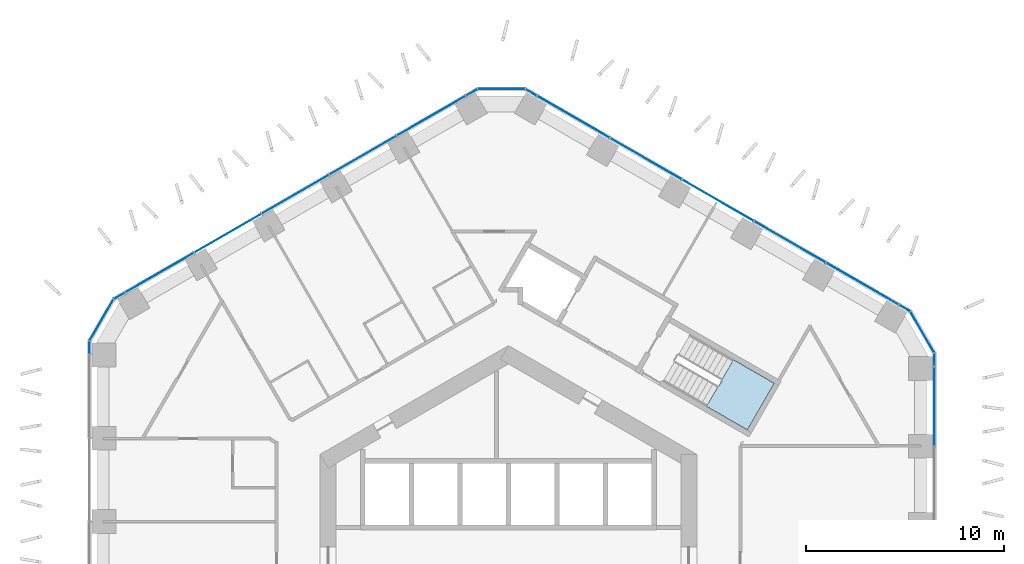
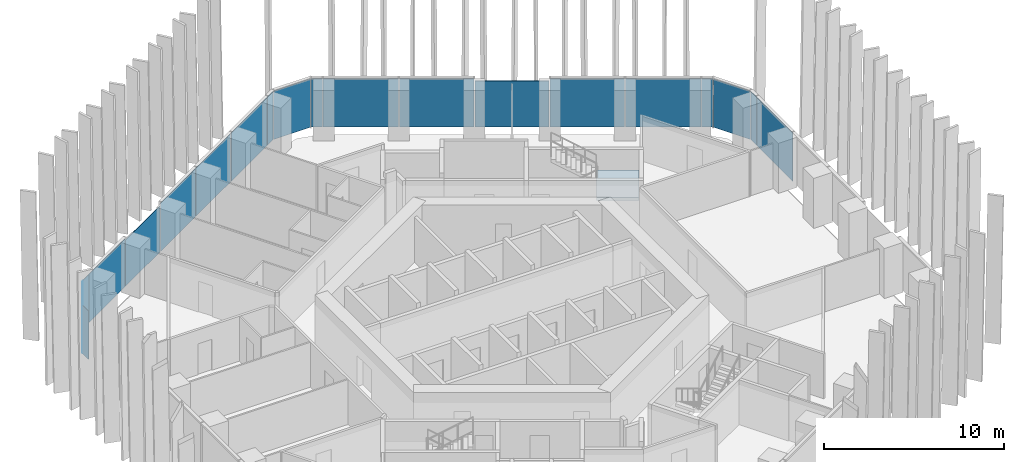
# One storey, part 12 of 19: 20 plates, 1 slab, 7 elements without a shape of their own.
"""IFC4 building model written with IfcOpenShell, lengths in metres."""

from ifc_helpers import new_model, si_unit, direction, frame, origin, origin_2d, place, context, subcontext, project, spatial, polyline, rectangle, outline, extrude, material, layer, layer_set, type_object, element, aggregate, save


model = new_model("IFC4")

# Units and contexts
model_context = context("Model", 3, precision=1e-05, world=origin(), true_north=direction((0.0, 1.0)))
body_context = subcontext(model_context, "Body", "Model", "MODEL_VIEW")
ifc_project = project(units=[si_unit("LENGTHUNIT", "METRE"), si_unit("AREAUNIT", "SQUARE_METRE"), si_unit("VOLUMEUNIT", "CUBIC_METRE"), si_unit("PLANEANGLEUNIT", "RADIAN"), si_unit("MASSUNIT", "GRAM", prefix="KILO")], contexts=[model_context])

# Site, building, storey
site_placement = place(None, origin())
site = spatial("IfcSite", under=ifc_project, at=site_placement, CompositionType="ELEMENT")
building_placement = place(site_placement, origin())
building = spatial("IfcBuilding", under=site, at=building_placement, Name="Ayvan Gate Tower", CompositionType="ELEMENT")
storey_placement = place(building_placement, frame((0.0, 0.0, 45.89990234375)))
storey = spatial("IfcBuildingStorey", under=building, at=storey_placement, Name="L11", CompositionType="ELEMENT", Elevation=45.89990234375)

# Stair, slab
ifc_material_1 = material(Name="Concrete C40/50", Category="concrete")
stair_type = type_object("IfcStairType", Name="ST-EXIT", PredefinedType="HALF_TURN_STAIR", material=ifc_material_1)
stair_placement = place(storey_placement, origin())
stair = element("IfcStair", 1, at=stair_placement, inside=storey, type_object=stair_type, Name="L11 Exit Stair S1", PredefinedType="HALF_TURN_STAIR")
ifc_layer_1 = layer(ifc_material_1, 0.199951171875)
ifc_layer_set_1 = layer_set([ifc_layer_1], Name="Concrete C40/50")
slab_type = type_object("IfcSlabType", Name="SL-LANDING-200", PredefinedType="LANDING", material=ifc_layer_set_1)
slab_placement = place(storey_placement, frame((0.0, 0.0, 1.5)))
slab = element("IfcSlab", 2, at=slab_placement, type_object=slab_type, Name="STS1 landing 1", PredefinedType="LANDING", context=body_context, shape_type="SweptSolid", body=[
    extrude(outline(polyline([(9.988525390625, 7.91064453125), (12.049560546875, 6.720458984375), (13.404541015625, 9.0673828125), (11.343505859375, 10.257568359375), (9.988525390625, 7.91064453125)])), origin(), (0.0, 0.0, 1.0), 0.2001953125),
])
aggregate(stair, [slab])

# Curtain wall, plates
ifc_material_2 = material(Name="Bronze anodised aluminium", Category="aluminium")
ifc_layer_2 = layer(ifc_material_2, 0.199951171875)
ifc_layer_set_2 = layer_set([ifc_layer_2], Name="Bronze anodised aluminium")
curtain_wall_type_1 = type_object("IfcCurtainWallType", Name="Stick curtain wall CW-1", PredefinedType="NOTDEFINED", material=ifc_layer_set_2)
curtain_wall_1_placement = place(storey_placement, origin())
curtain_wall_1 = element("IfcCurtainWall", 3, at=curtain_wall_1_placement, inside=storey, type_object=curtain_wall_type_1, Name="Stick curtain wall CW-1 L11", PredefinedType="NOTDEFINED")
ifc_material_3 = material(Name="Clear low-iron laminated glass", Category="glass")
ifc_layer_3 = layer(ifc_material_3, 0.028076171875)
ifc_layer_set_3 = layer_set([ifc_layer_3], Name="Clear low-iron laminated glass")
plate_type_1 = type_object("IfcPlateType", Name="Stick curtain wall CW-1 glass panel", PredefinedType="CURTAIN_PANEL", material=ifc_layer_set_3)
plate_1_placement = place(storey_placement, frame((-3.882080078125, 22.56689453125, 0.0), z_axis=(0.0, 0.0, 1.0), x_axis=(-0.866025403784, -0.5, 0.0)))
plate_1 = element("IfcPlate", 4, at=plate_1_placement, type_object=plate_type_1, Name="CW-1 glass panel 1", PredefinedType="CURTAIN_PANEL", context=body_context, shape_type="SweptSolid", body=[
    extrude(rectangle(XDim=3.9951171875, YDim=0.028076171875, at=origin_2d()), origin(), (0.0, 0.0, 1.0), 3.280029296875),
])
plate_2_placement = place(storey_placement, frame((-7.33935546875, 20.571044921875, 0.0), z_axis=(0.0, 0.0, 1.0), x_axis=(-0.866025403784, -0.5, 0.0)))
plate_2 = element("IfcPlate", 5, at=plate_2_placement, type_object=plate_type_1, Name="CW-1 glass panel 2", PredefinedType="CURTAIN_PANEL", context=body_context, shape_type="SweptSolid", body=[
    extrude(rectangle(XDim=3.868896484375, YDim=0.028076171875, at=origin_2d()), origin(), (0.0, 0.0, 1.0), 3.280029296875),
])
plate_3_placement = place(storey_placement, frame((-10.741943359375, 18.6064453125, 0.0), z_axis=(0.0, 0.0, 1.0), x_axis=(-0.866025403784, -0.5, 0.0)))
plate_3 = element("IfcPlate", 6, at=plate_3_placement, type_object=plate_type_1, Name="CW-1 glass panel 3", PredefinedType="CURTAIN_PANEL", context=body_context, shape_type="SweptSolid", body=[
    extrude(rectangle(XDim=3.868896484375, YDim=0.028076171875, at=origin_2d()), origin(), (0.0, 0.0, 1.0), 3.280029296875),
])
plate_4_placement = place(storey_placement, frame((-14.14453125, 16.641845703125, 0.000244140625), z_axis=(0.0, 0.0, 1.0), x_axis=(-0.866025403784, -0.5, 0.0)))
plate_4 = element("IfcPlate", 7, at=plate_4_placement, type_object=plate_type_1, Name="CW-1 glass panel 4", PredefinedType="CURTAIN_PANEL", context=body_context, shape_type="SweptSolid", body=[
    extrude(rectangle(XDim=3.868896484375, YDim=0.028076171875, at=origin_2d()), origin(), (0.0, 0.0, 1.0), 3.14990234375),
])
plate_5_placement = place(storey_placement, frame((-17.60205078125, 14.645751953125, 0.0), z_axis=(0.0, 0.0, 1.0), x_axis=(-0.866025403784, -0.5, 0.0)))
plate_5 = element("IfcPlate", 8, at=plate_5_placement, type_object=plate_type_1, Name="CW-1 glass panel 5", PredefinedType="CURTAIN_PANEL", context=body_context, shape_type="SweptSolid", body=[
    extrude(rectangle(XDim=3.995849609375, YDim=0.028076171875, at=origin_2d()), origin(), (0.0, 0.0, 1.0), 3.280029296875),
])
aggregate(curtain_wall_1, [plate_1, plate_2, plate_3, plate_4, plate_5])

# Curtain wall, plate
curtain_wall_2_placement = place(storey_placement, origin())
curtain_wall_2 = element("IfcCurtainWall", 9, at=curtain_wall_2_placement, inside=storey, type_object=curtain_wall_type_1, Name="Stick curtain wall CW-1 L11", PredefinedType="NOTDEFINED")
plate_6_placement = place(storey_placement, frame((21.484619140625, 7.9208984375, 0.0), z_axis=(0.0, 0.0, 1.0), x_axis=(0.0, 1.0, 0.0)))
plate_6 = element("IfcPlate", 10, at=plate_6_placement, type_object=plate_type_1, Name="CW-1 glass panel 5", PredefinedType="CURTAIN_PANEL", context=body_context, shape_type="SweptSolid", body=[
    extrude(rectangle(XDim=3.995849609375, YDim=0.028076171875, at=origin_2d()), origin(), (0.0, 0.0, 1.0), 3.280029296875),
])
aggregate(curtain_wall_2, [plate_6])

# Curtain wall, plates
curtain_wall_3_placement = place(storey_placement, origin())
curtain_wall_3 = element("IfcCurtainWall", 11, at=curtain_wall_3_placement, inside=storey, type_object=curtain_wall_type_1, Name="Stick curtain wall CW-1 L11", PredefinedType="NOTDEFINED")
plate_7_placement = place(storey_placement, frame((17.864990234375, 14.082763671875, 0.0), z_axis=(0.0, 0.0, 1.0), x_axis=(-0.866025403784, 0.5, 0.0)))
plate_7 = element("IfcPlate", 12, at=plate_7_placement, type_object=plate_type_1, Name="CW-1 glass panel 1", PredefinedType="CURTAIN_PANEL", context=body_context, shape_type="SweptSolid", body=[
    extrude(rectangle(XDim=4.2109375, YDim=0.028076171875, at=origin_2d()), origin(), (0.0, 0.0, 1.0), 3.280029296875),
])
plate_8_placement = place(storey_placement, frame((14.1982421875, 16.19970703125, 0.0), z_axis=(0.0, 0.0, 1.0), x_axis=(-0.866025403784, 0.5, 0.0)))
plate_8 = element("IfcPlate", 13, at=plate_8_placement, type_object=plate_type_1, Name="CW-1 glass panel 2", PredefinedType="CURTAIN_PANEL", context=body_context, shape_type="SweptSolid", body=[
    extrude(rectangle(XDim=4.136962890625, YDim=0.028076171875, at=origin_2d()), origin(), (0.0, 0.0, 1.0), 3.280029296875),
])
plate_9_placement = place(storey_placement, frame((10.56396484375, 18.298095703125, 0.000244140625), z_axis=(0.0, 0.0, 1.0), x_axis=(-0.866025403784, 0.5, 0.0)))
plate_9 = element("IfcPlate", 14, at=plate_9_placement, type_object=plate_type_1, Name="CW-1 glass panel 3", PredefinedType="CURTAIN_PANEL", context=body_context, shape_type="SweptSolid", body=[
    extrude(rectangle(XDim=4.135986328125, YDim=0.028076171875, at=origin_2d()), origin(), (0.0, 0.0, 1.0), 3.14990234375),
])
plate_10_placement = place(storey_placement, frame((6.93017578125, 20.39599609375, 0.0), z_axis=(0.0, 0.0, 1.0), x_axis=(-0.866025403784, 0.5, 0.0)))
plate_10 = element("IfcPlate", 15, at=plate_10_placement, type_object=plate_type_1, Name="CW-1 glass panel 4", PredefinedType="CURTAIN_PANEL", context=body_context, shape_type="SweptSolid", body=[
    extrude(rectangle(XDim=4.135986328125, YDim=0.028076171875, at=origin_2d()), origin(), (0.0, 0.0, 1.0), 3.280029296875),
])
plate_11_placement = place(storey_placement, frame((3.263671875, 22.512939453125, 0.0), z_axis=(0.0, 0.0, 1.0), x_axis=(-0.866025403784, 0.5, 0.0)))
plate_11 = element("IfcPlate", 16, at=plate_11_placement, type_object=plate_type_1, Name="CW-1 glass panel 5", PredefinedType="CURTAIN_PANEL", context=body_context, shape_type="SweptSolid", body=[
    extrude(rectangle(XDim=4.21142578125, YDim=0.028076171875, at=origin_2d()), origin(), (0.0, 0.0, 1.0), 3.280029296875),
])
aggregate(curtain_wall_3, [plate_7, plate_8, plate_9, plate_10, plate_11])

ifc_layer_4 = layer(ifc_material_2, 0.199951171875)
ifc_layer_set_4 = layer_set([ifc_layer_4], Name="Bronze anodised aluminium")
curtain_wall_type_2 = type_object("IfcCurtainWallType", Name="Stick curtain wall CW-6", PredefinedType="NOTDEFINED", material=ifc_layer_set_4)
curtain_wall_4_placement = place(storey_placement, origin())
curtain_wall_4 = element("IfcCurtainWall", 17, at=curtain_wall_4_placement, inside=storey, type_object=curtain_wall_type_2, Name="Stick curtain wall CW-6 L11", PredefinedType="NOTDEFINED")
ifc_layer_5 = layer(ifc_material_3, 0.028076171875)
ifc_layer_set_5 = layer_set([ifc_layer_5], Name="Clear low-iron laminated glass")
plate_type_2 = type_object("IfcPlateType", Name="Stick curtain wall CW-6 glass panel", PredefinedType="CURTAIN_PANEL", material=ifc_layer_set_5)
plate_12_placement = place(storey_placement, frame((-19.62890625, 13.4755859375, 0.0), z_axis=(0.0, 0.0, 1.0), x_axis=(-0.866025403784, -0.5, 0.0)))
plate_12 = element("IfcPlate", 18, at=plate_12_placement, type_object=plate_type_2, Name="CW-6 glass panel 1", PredefinedType="CURTAIN_PANEL", context=body_context, shape_type="SweptSolid", body=[
    extrude(rectangle(XDim=0.625, YDim=0.028076171875, at=origin_2d()), origin(), (0.0, 0.0, 1.0), 3.280029296875),
])
plate_13_placement = place(storey_placement, frame((-20.52490234375, 12.26123046875, 0.0), z_axis=(0.0, 0.0, 1.0), x_axis=(-0.5, -0.866025403784, 0.0)))
plate_13 = element("IfcPlate", 19, at=plate_13_placement, type_object=plate_type_2, Name="CW-6 glass panel 2", PredefinedType="CURTAIN_PANEL", context=body_context, shape_type="SweptSolid", body=[
    extrude(rectangle(XDim=2.364501953125, YDim=0.028076171875, at=origin_2d()), origin(), (0.0, 0.0, 1.0), 3.280029296875),
])
plate_14_placement = place(storey_placement, frame((-21.12841796875, 10.878173828125, 0.0), z_axis=(0.0, 0.0, 1.0), x_axis=(0.0, -1.0, 0.0)))
plate_14 = element("IfcPlate", 20, at=plate_14_placement, type_object=plate_type_2, Name="CW-6 glass panel 3", PredefinedType="CURTAIN_PANEL", context=body_context, shape_type="SweptSolid", body=[
    extrude(rectangle(XDim=0.625, YDim=0.028076171875, at=origin_2d()), origin(), (0.0, 0.0, 1.0), 3.280029296875),
])
aggregate(curtain_wall_4, [plate_12, plate_13, plate_14])

curtain_wall_5_placement = place(storey_placement, origin())
curtain_wall_5 = element("IfcCurtainWall", 21, at=curtain_wall_5_placement, inside=storey, type_object=curtain_wall_type_2, Name="Stick curtain wall CW-6 L11", PredefinedType="NOTDEFINED")
plate_15_placement = place(storey_placement, frame((21.484619140625, 10.261474609375, 0.0), z_axis=(0.0, 0.0, 1.0), x_axis=(0.0, 1.0, 0.0)))
plate_15 = element("IfcPlate", 22, at=plate_15_placement, type_object=plate_type_2, Name="CW-6 glass panel 1", PredefinedType="CURTAIN_PANEL", context=body_context, shape_type="SweptSolid", body=[
    extrude(rectangle(XDim=0.625, YDim=0.028076171875, at=origin_2d()), origin(), (0.0, 0.0, 1.0), 3.280029296875),
])
plate_16_placement = place(storey_placement, frame((20.880859375, 11.64453125, 0.0), z_axis=(0.0, 0.0, 1.0), x_axis=(-0.5, 0.866025403784, 0.0)))
plate_16 = element("IfcPlate", 23, at=plate_16_placement, type_object=plate_type_2, Name="CW-6 glass panel 2", PredefinedType="CURTAIN_PANEL", context=body_context, shape_type="SweptSolid", body=[
    extrude(rectangle(XDim=2.364501953125, YDim=0.028076171875, at=origin_2d()), origin(), (0.0, 0.0, 1.0), 3.280029296875),
])
plate_17_placement = place(storey_placement, frame((19.985107421875, 12.858642578125, 0.0), z_axis=(0.0, 0.0, 1.0), x_axis=(-0.866025403784, 0.5, 0.0)))
plate_17 = element("IfcPlate", 24, at=plate_17_placement, type_object=plate_type_2, Name="CW-6 glass panel 3", PredefinedType="CURTAIN_PANEL", context=body_context, shape_type="SweptSolid", body=[
    extrude(rectangle(XDim=0.625, YDim=0.028076171875, at=origin_2d()), origin(), (0.0, 0.0, 1.0), 3.280029296875),
])
aggregate(curtain_wall_5, [plate_15, plate_16, plate_17])

curtain_wall_6_placement = place(storey_placement, origin())
curtain_wall_6 = element("IfcCurtainWall", 25, at=curtain_wall_6_placement, inside=storey, type_object=curtain_wall_type_2, Name="Stick curtain wall CW-6 L11", PredefinedType="NOTDEFINED")
plate_18_placement = place(storey_placement, frame((1.1435546875, 23.73681640625, 0.0), z_axis=(0.0, 0.0, 1.0), x_axis=(-0.866025403784, 0.5, 0.0)))
plate_18 = element("IfcPlate", 26, at=plate_18_placement, type_object=plate_type_2, Name="CW-6 glass panel 1", PredefinedType="CURTAIN_PANEL", context=body_context, shape_type="SweptSolid", body=[
    extrude(rectangle(XDim=0.625, YDim=0.028076171875, at=origin_2d()), origin(), (0.0, 0.0, 1.0), 3.280029296875),
])
plate_19_placement = place(storey_placement, frame((-0.356201171875, 23.90576171875, 0.0), z_axis=(0.0, 0.0, 1.0), x_axis=(-1.0, 0.0, 0.0)))
plate_19 = element("IfcPlate", 27, at=plate_19_placement, type_object=plate_type_2, Name="CW-6 glass panel 2", PredefinedType="CURTAIN_PANEL", context=body_context, shape_type="SweptSolid", body=[
    extrude(rectangle(XDim=2.364501953125, YDim=0.028076171875, at=origin_2d()), origin(), (0.0, 0.0, 1.0), 3.280029296875),
])
plate_20_placement = place(storey_placement, frame((-1.855712890625, 23.73681640625, 0.0), z_axis=(0.0, 0.0, 1.0), x_axis=(-0.866025403784, -0.5, 0.0)))
plate_20 = element("IfcPlate", 28, at=plate_20_placement, type_object=plate_type_2, Name="CW-6 glass panel 3", PredefinedType="CURTAIN_PANEL", context=body_context, shape_type="SweptSolid", body=[
    extrude(rectangle(XDim=0.625, YDim=0.028076171875, at=origin_2d()), origin(), (0.0, 0.0, 1.0), 3.280029296875),
])
aggregate(curtain_wall_6, [plate_18, plate_19, plate_20])

save(model, "model.ifc")
